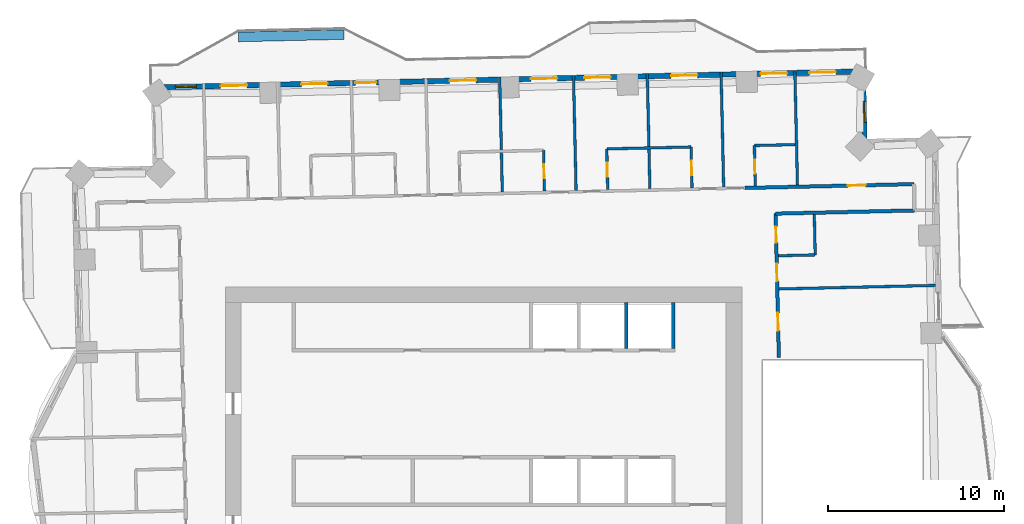
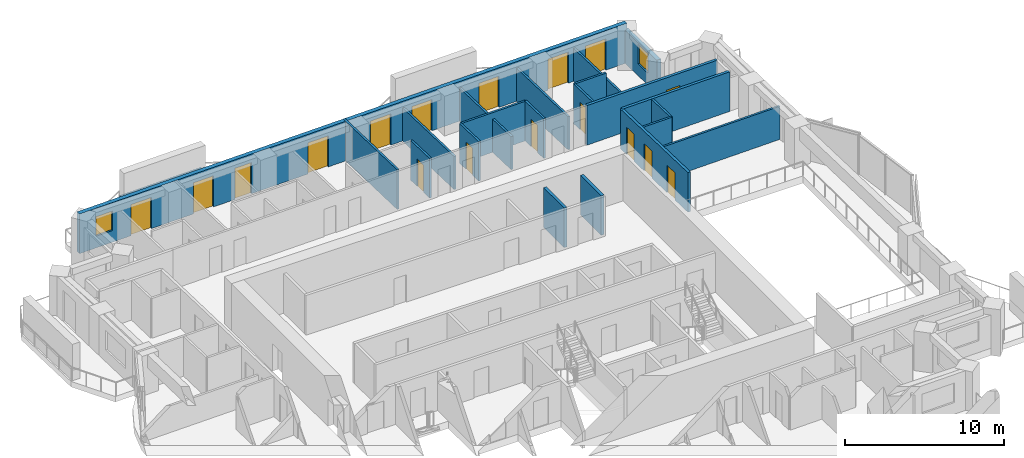
# One storey, part 9 of 14: 22 walls, 17 doors, 2 windows, 19 openings.
"""IFC4 building model written with IfcOpenShell, lengths in metres."""

from ifc_helpers import new_model, si_unit, direction, frame, frame_2d, origin, place, context, subcontext, project, spatial, rectangle, extrude, material, layer, layer_set, type_object, element, fill, save


model = new_model("IFC4")

# Units and contexts
model_context = context("Model", 3, precision=1e-05, world=origin(), true_north=direction((0.0, 1.0)))
body_context = subcontext(model_context, "Body", "Model", "MODEL_VIEW")
ifc_project = project(units=[si_unit("LENGTHUNIT", "METRE"), si_unit("AREAUNIT", "SQUARE_METRE"), si_unit("VOLUMEUNIT", "CUBIC_METRE"), si_unit("PLANEANGLEUNIT", "RADIAN"), si_unit("MASSUNIT", "GRAM", prefix="KILO")], contexts=[model_context])

# Site, building, storey
site_placement = place(None, origin())
site = spatial("IfcSite", under=ifc_project, at=site_placement, CompositionType="ELEMENT")
building_placement = place(site_placement, origin())
building = spatial("IfcBuilding", under=site, at=building_placement, Name="Mangrove Gate Tower", CompositionType="ELEMENT")
storey_placement = place(building_placement, frame((0.0, 0.0, 186.10009765625)))
storey = spatial("IfcBuildingStorey", under=building, at=storey_placement, Name="L47", CompositionType="ELEMENT", Elevation=186.10009765625)

# Walls
ifc_material_1 = material(Name="Concrete C60/75", Category="concrete")
ifc_layer_1 = layer(ifc_material_1, 0.199951171875)
ifc_layer_set_1 = layer_set([ifc_layer_1], Name="Core shaft wall 200 C60/75")
wall_type_1 = type_object("IfcWallType", Name="Core shaft wall 200 C60/75", PredefinedType="SHEAR", material=ifc_layer_set_1)
for number, where, z_axis, x_axis, name in (
    (1, (8.10009765625, 8.199951171875, 0.0), (0.0, 0.0, 1.0), (0.0, 1.0, 0.0), "WALL-L47-CORE-28"),
    (2, (10.800048828125, 8.199951171875, 0.0), (0.0, 0.0, 1.0), (0.0, 1.0, 0.0), "WALL-L47-CORE-29"),
):
    element("IfcWall", number, at=place(storey_placement, frame(where, z_axis=z_axis, x_axis=x_axis)), inside=storey, type_object=wall_type_1, Name=name, PredefinedType="SHEAR", context=body_context, shape_type="SweptSolid", body=[
        extrude(rectangle(XDim=2.60009765625, YDim=0.199951171875, at=frame_2d((1.300048828125, 0.0))), origin(), (0.0, 0.0, 1.0), 3.0498046875),
    ])

# Wall, openings, doors
ifc_material_2 = material(Name="Gypsum board on steel stud, EI 60", Category="steel")
ifc_layer_2 = layer(ifc_material_2, 0.199951171875)
ifc_layer_set_2 = layer_set([ifc_layer_2], Name="Corridor wall EI 60")
wall_type_2 = type_object("IfcWallType", Name="Corridor wall EI 60", PredefinedType="PARTITIONING", material=ifc_layer_set_2)
wall_1_placement = place(storey_placement, frame((16.797119140625, 7.674072265625, 0.0), z_axis=(0.0, 0.0, 1.0), x_axis=(-0.022698399288, 0.999742358145, 0.0)))
wall_1 = element("IfcWall", 3, at=wall_1_placement, inside=storey, type_object=wall_type_2, Name="WALL-L47-045", PredefinedType="PARTITIONING", context=body_context, shape_type="SweptSolid", body=[
    extrude(rectangle(XDim=8.196044921875, YDim=0.199951171875, at=frame_2d((4.09814453125, 0.0))), origin(), (0.0, 0.0, 1.0), 3.0498046875),
])
opening_1_placement = place(wall_1_placement, frame((1.5390625, 0.0, 0.0)))
opening_1 = element("IfcOpeningElement", 4, at=opening_1_placement, cuts=wall_1, Name="Opening AD", PredefinedType="OPENING", context=body_context, shape_type="SweptSolid", body=[
    extrude(rectangle(XDim=1.0, YDim=2.10009765625, at=frame_2d((0.5, 1.050048828125))), frame((0.0, 0.10986328125, 0.0), z_axis=(0.0, -1.0, 0.0), x_axis=(1.0, 0.0, 0.0)), (0.0, 0.0, 1.0), 0.219970703125),
])
opening_2_placement = place(wall_1_placement, frame((4.35009765625, 0.0, 0.0)))
opening_2 = element("IfcOpeningElement", 5, at=opening_2_placement, cuts=wall_1, Name="Opening AD", PredefinedType="OPENING", context=body_context, shape_type="SweptSolid", body=[
    extrude(rectangle(XDim=1.0, YDim=2.10009765625, at=frame_2d((0.5, 1.050048828125))), frame((0.0, 0.10986328125, 0.0), z_axis=(0.0, -1.0, 0.0), x_axis=(1.0, 0.0, 0.0)), (0.0, 0.0, 1.0), 0.219970703125),
])
opening_3_placement = place(wall_1_placement, frame((6.5458984375, 0.0, 0.0)))
opening_3 = element("IfcOpeningElement", 6, at=opening_3_placement, cuts=wall_1, Name="Opening SD", PredefinedType="OPENING", context=body_context, shape_type="SweptSolid", body=[
    extrude(rectangle(XDim=0.89990234375, YDim=2.10009765625, at=frame_2d((0.449951171875, 1.050048828125))), frame((0.0, 0.10986328125, 0.0), z_axis=(0.0, -1.0, 0.0), x_axis=(1.0, 0.0, 0.0)), (0.0, 0.0, 1.0), 0.219970703125),
])
ifc_material_3 = material(Name="Timber door leaf", Category="wood")
door_type_1 = type_object("IfcDoorType", Name="Amenity door 1000", OperationType="SINGLE_SWING_LEFT", PredefinedType="DOOR", material=ifc_material_3)
door_1_placement = place(opening_1_placement, origin())
door_1 = element("IfcDoor", 7, at=door_1_placement, inside=storey, type_object=door_type_1, Name="DOOR-L47-KIT-c3c", OperationType="SINGLE_SWING_RIGHT", OverallHeight=2.10009765625, OverallWidth=1.0, PredefinedType="DOOR", context=body_context, shape_type="SweptSolid", body=[
    extrude(rectangle(XDim=1.0, YDim=2.10009765625, at=frame_2d((0.5, 1.050048828125))), frame((0.0, 0.02490234375, 0.0), z_axis=(0.0, -1.0, 0.0), x_axis=(1.0, 0.0, 0.0)), (0.0, 0.0, 1.0), 0.050048828125),
])
fill(opening_1, door_1)
door_2_placement = place(opening_2_placement, origin())
door_2 = element("IfcDoor", 8, at=door_2_placement, inside=storey, type_object=door_type_1, Name="DOOR-L47-GAM-c3a", OperationType="SINGLE_SWING_LEFT", OverallHeight=2.10009765625, OverallWidth=1.0, PredefinedType="DOOR", context=body_context, shape_type="SweptSolid", body=[
    extrude(rectangle(XDim=1.0, YDim=2.10009765625, at=frame_2d((0.5, 1.050048828125))), frame((0.0, 0.02490234375, 0.0), z_axis=(0.0, -1.0, 0.0), x_axis=(1.0, 0.0, 0.0)), (0.0, 0.0, 1.0), 0.050048828125),
])
fill(opening_2, door_2)
ifc_material_4 = material(Name="Timber door leaf", Category="wood")
door_type_2 = type_object("IfcDoorType", Name="Service room door 900", OperationType="SINGLE_SWING_LEFT", PredefinedType="DOOR", material=ifc_material_4)
door_3_placement = place(opening_3_placement, origin())
door_3 = element("IfcDoor", 9, at=door_3_placement, inside=storey, type_object=door_type_2, Name="DOOR-L47-LIN-c3b", OperationType="SINGLE_SWING_LEFT", OverallHeight=2.10009765625, OverallWidth=0.89990234375, PredefinedType="DOOR", context=body_context, shape_type="SweptSolid", body=[
    extrude(rectangle(XDim=0.89990234375, YDim=2.10009765625, at=frame_2d((0.449951171875, 1.050048828125))), frame((0.0, 0.02490234375, 0.0), z_axis=(0.0, -1.0, 0.0), x_axis=(1.0, 0.0, 0.0)), (0.0, 0.0, 1.0), 0.050048828125),
])
fill(opening_3, door_3)

# Wall
wall_2_placement = place(storey_placement, frame((16.612060546875, 15.864013671875, 0.0), z_axis=(0.0, 0.0, 1.0), x_axis=(0.999741181744, 0.022750154412, 0.0)))
element("IfcWall", 10, at=wall_2_placement, inside=storey, type_object=wall_type_2, Name="WALL-L47-054", PredefinedType="PARTITIONING", context=body_context, shape_type="SweptSolid", body=[
    extrude(rectangle(XDim=7.908935546875, YDim=0.199951171875, at=frame_2d((3.95458984375, 0.0))), origin(), (0.0, 0.0, 1.0), 3.0498046875),
])

# Wall, opening, door
wall_3_placement = place(storey_placement, frame((14.8798828125, 17.324951171875, 0.0), z_axis=(0.0, 0.0, 1.0), x_axis=(0.999742504166, 0.022691966963, 0.0)))
wall_3 = element("IfcWall", 11, at=wall_3_placement, inside=storey, type_object=wall_type_2, Name="WALL-L47-060", PredefinedType="PARTITIONING", context=body_context, shape_type="SweptSolid", body=[
    extrude(rectangle(XDim=9.607666015625, YDim=0.199951171875, at=frame_2d((4.8037109375, 0.0))), origin(), (0.0, 0.0, 1.0), 3.0498046875),
])
opening_4_placement = place(wall_3_placement, frame((5.85009765625, 0.0, 0.0)))
opening_4 = element("IfcOpeningElement", 12, at=opening_4_placement, cuts=wall_3, Name="Opening AD", PredefinedType="OPENING", context=body_context, shape_type="SweptSolid", body=[
    extrude(rectangle(XDim=1.0, YDim=2.10009765625, at=frame_2d((0.5, 1.050048828125))), frame((0.0, 0.10986328125, 0.0), z_axis=(0.0, -1.0, 0.0), x_axis=(1.0, 0.0, 0.0)), (0.0, 0.0, 1.0), 0.219970703125),
])
door_4_placement = place(opening_4_placement, origin())
door_4 = element("IfcDoor", 13, at=door_4_placement, inside=storey, type_object=door_type_1, Name="DOOR-L47-GAM-c3b", OperationType="SINGLE_SWING_RIGHT", OverallHeight=2.10009765625, OverallWidth=1.0, PredefinedType="DOOR", context=body_context, shape_type="SweptSolid", body=[
    extrude(rectangle(XDim=1.0, YDim=2.10009765625, at=frame_2d((0.5, 1.050048828125))), frame((0.0, 0.02490234375, 0.0), z_axis=(0.0, -1.0, 0.0), x_axis=(1.0, 0.0, 0.0)), (0.0, 0.0, 1.0), 0.050048828125),
])
fill(opening_4, door_4)

# Wall, opening, window
ifc_material_5 = material(Name="Limestone", Category="masonry")
ifc_layer_3 = layer(ifc_material_5, 0.0400390625, Name="Limestone cladding")
ifc_material_6 = material(Name="Ventilated air gap")
ifc_layer_4 = layer(ifc_material_6, 0.0400390625, Name="Ventilated cavity")
ifc_material_7 = material(Name="Mineral wool insulation")
ifc_layer_5 = layer(ifc_material_7, 0.06005859375, Name="Insulation")
ifc_material_8 = material(Name="Breather membrane")
ifc_layer_6 = layer(ifc_material_8, 0.001953125, Name="Breather membrane")
ifc_material_9 = material(Name="Concrete C20/25 blockwork", Category="masonry")
ifc_layer_7 = layer(ifc_material_9, 0.14990234375, Name="Blockwork backing wall")
ifc_material_10 = material(Name="Gypsum plaster")
ifc_layer_8 = layer(ifc_material_10, 0.008056640625, Name="Internal plaster")
ifc_layer_set_3 = layer_set([ifc_layer_3, ifc_layer_4, ifc_layer_5, ifc_layer_6, ifc_layer_7, ifc_layer_8], Name="External wall 300 limestone cladding")
wall_type_3 = type_object("IfcWallType", Name="External wall 300 limestone cladding", PredefinedType="SOLIDWALL", material=ifc_layer_set_3)
wall_4_placement = place(storey_placement, frame((21.679931640625, 19.9599609375, 0.0), z_axis=(0.0, 0.0, 1.0), x_axis=(-0.022704768219, 0.999742213523, 0.0)))
wall_4 = element("IfcWall", 14, at=wall_4_placement, inside=storey, type_object=wall_type_3, Name="WALL-L47-E4", PredefinedType="SOLIDWALL", context=body_context, shape_type="SweptSolid", body=[
    extrude(rectangle(XDim=4.0, YDim=0.300048828125, at=frame_2d((2.0, 0.0))), origin(), (0.0, 0.0, 1.0), 2.5498046875),
])
opening_5_placement = place(wall_4_placement, frame((1.093017578125, 0.0, 0.89990234375)))
opening_5 = element("IfcOpeningElement", 15, at=opening_5_placement, cuts=wall_4, Name="Opening W1", PredefinedType="OPENING", context=body_context, shape_type="SweptSolid", body=[
    extrude(rectangle(XDim=1.199951171875, YDim=1.5, at=frame_2d((0.60009765625, 0.75))), frame((0.0, 0.159912109375, 0.0), z_axis=(0.0, -1.0, 0.0), x_axis=(1.0, 0.0, 0.0)), (0.0, 0.0, 1.0), 0.320068359375),
])
ifc_material_11 = material(Name="Aluminium frame with double-glazed low-e glass", Category="aluminium")
window_type = type_object("IfcWindowType", Name="Side lite 1200x1500", PartitioningType="SINGLE_PANEL", PredefinedType="WINDOW", material=ifc_material_11)
window_1_placement = place(opening_5_placement, origin())
window_1 = element("IfcWindow", 16, at=window_1_placement, inside=storey, type_object=window_type, Name="WIN-L47-E4-1", OverallHeight=1.5, OverallWidth=1.199951171875, PartitioningType="SINGLE_PANEL", PredefinedType="WINDOW", context=body_context, shape_type="SweptSolid", body=[
    extrude(rectangle(XDim=1.199951171875, YDim=1.5, at=frame_2d((0.60009765625, 0.75))), frame((0.0, 0.030029296875, 0.0), z_axis=(0.0, -1.0, 0.0), x_axis=(1.0, 0.0, 0.0)), (0.0, 0.0, 1.0), 0.06005859375),
])
fill(opening_5, window_1)

# Wall, openings, doors, window
wall_5_placement = place(storey_placement, frame((21.589111328125, 23.958984375, 0.0), z_axis=(0.0, 0.0, 1.0), x_axis=(-0.999742671382, -0.022684598702, 0.0)))
wall_5 = element("IfcWall", 17, at=wall_5_placement, inside=storey, type_object=wall_type_3, Name="WALL-L47-N5", PredefinedType="SOLIDWALL", context=body_context, shape_type="SweptSolid", body=[
    extrude(rectangle(XDim=40.380615234375, YDim=0.300048828125, at=frame_2d((20.1904296875, 0.0))), origin(), (0.0, 0.0, 1.0), 3.0498046875),
])
opening_6_placement = place(wall_5_placement, frame((1.552978515625, 0.0, 0.0)))
opening_6 = element("IfcOpeningElement", 18, at=opening_6_placement, cuts=wall_5, Name="Opening BD1", PredefinedType="OPENING", context=body_context, shape_type="SweptSolid", body=[
    extrude(rectangle(XDim=1.5, YDim=2.39990234375, at=frame_2d((0.75, 1.199951171875))), frame((0.0, 0.159912109375, 0.0), z_axis=(0.0, -1.0, 0.0), x_axis=(1.0, 0.0, 0.0)), (0.0, 0.0, 1.0), 0.320068359375),
])
opening_7_placement = place(wall_5_placement, frame((4.330078125, 0.0, 0.0)))
opening_7 = element("IfcOpeningElement", 19, at=opening_7_placement, cuts=wall_5, Name="Opening BD1", PredefinedType="OPENING", context=body_context, shape_type="SweptSolid", body=[
    extrude(rectangle(XDim=1.5, YDim=2.39990234375, at=frame_2d((0.75, 1.199951171875))), frame((0.0, 0.159912109375, 0.0), z_axis=(0.0, -1.0, 0.0), x_axis=(1.0, 0.0, 0.0)), (0.0, 0.0, 1.0), 0.320068359375),
])
opening_8_placement = place(wall_5_placement, frame((9.429931640625, 0.0, 0.0)))
opening_8 = element("IfcOpeningElement", 20, at=opening_8_placement, cuts=wall_5, Name="Opening BD1", PredefinedType="OPENING", context=body_context, shape_type="SweptSolid", body=[
    extrude(rectangle(XDim=1.5, YDim=2.39990234375, at=frame_2d((0.75, 1.199951171875))), frame((0.0, 0.159912109375, 0.0), z_axis=(0.0, -1.0, 0.0), x_axis=(1.0, 0.0, 0.0)), (0.0, 0.0, 1.0), 0.320068359375),
])
opening_9_placement = place(wall_5_placement, frame((14.3701171875, 0.0, 0.0)))
opening_9 = element("IfcOpeningElement", 21, at=opening_9_placement, cuts=wall_5, Name="Opening BD1", PredefinedType="OPENING", context=body_context, shape_type="SweptSolid", body=[
    extrude(rectangle(XDim=1.5, YDim=2.39990234375, at=frame_2d((0.75, 1.199951171875))), frame((0.0, 0.159912109375, 0.0), z_axis=(0.0, -1.0, 0.0), x_axis=(1.0, 0.0, 0.0)), (0.0, 0.0, 1.0), 0.320068359375),
])
opening_10_placement = place(wall_5_placement, frame((17.409912109375, 0.0, 0.0)))
opening_10 = element("IfcOpeningElement", 22, at=opening_10_placement, cuts=wall_5, Name="Opening BD1", PredefinedType="OPENING", context=body_context, shape_type="SweptSolid", body=[
    extrude(rectangle(XDim=1.5, YDim=2.39990234375, at=frame_2d((0.75, 1.199951171875))), frame((0.0, 0.159912109375, 0.0), z_axis=(0.0, -1.0, 0.0), x_axis=(1.0, 0.0, 0.0)), (0.0, 0.0, 1.0), 0.320068359375),
])
opening_11_placement = place(wall_5_placement, frame((22.030029296875, 0.0, 0.0)))
opening_11 = element("IfcOpeningElement", 23, at=opening_11_placement, cuts=wall_5, Name="Opening BD1", PredefinedType="OPENING", context=body_context, shape_type="SweptSolid", body=[
    extrude(rectangle(XDim=1.5, YDim=2.39990234375, at=frame_2d((0.75, 1.199951171875))), frame((0.0, 0.159912109375, 0.0), z_axis=(0.0, -1.0, 0.0), x_axis=(1.0, 0.0, 0.0)), (0.0, 0.0, 1.0), 0.320068359375),
])
opening_12_placement = place(wall_5_placement, frame((27.699951171875, 0.0, 0.0)))
opening_12 = element("IfcOpeningElement", 24, at=opening_12_placement, cuts=wall_5, Name="Opening BD2", PredefinedType="OPENING", context=body_context, shape_type="SweptSolid", body=[
    extrude(rectangle(XDim=1.199951171875, YDim=2.39990234375, at=frame_2d((0.60009765625, 1.199951171875))), frame((0.0, 0.159912109375, 0.0), z_axis=(0.0, -1.0, 0.0), x_axis=(1.0, 0.0, 0.0)), (0.0, 0.0, 1.0), 0.320068359375),
])
opening_13_placement = place(wall_5_placement, frame((30.47998046875, 0.0, 0.0)))
opening_13 = element("IfcOpeningElement", 25, at=opening_13_placement, cuts=wall_5, Name="Opening BD1", PredefinedType="OPENING", context=body_context, shape_type="SweptSolid", body=[
    extrude(rectangle(XDim=1.5, YDim=2.39990234375, at=frame_2d((0.75, 1.199951171875))), frame((0.0, 0.159912109375, 0.0), z_axis=(0.0, -1.0, 0.0), x_axis=(1.0, 0.0, 0.0)), (0.0, 0.0, 1.0), 0.320068359375),
])
opening_14_placement = place(wall_5_placement, frame((35.06494140625, 0.0, 0.0)))
opening_14 = element("IfcOpeningElement", 26, at=opening_14_placement, cuts=wall_5, Name="Opening BD1", PredefinedType="OPENING", context=body_context, shape_type="SweptSolid", body=[
    extrude(rectangle(XDim=1.5, YDim=2.39990234375, at=frame_2d((0.75, 1.199951171875))), frame((0.0, 0.159912109375, 0.0), z_axis=(0.0, -1.0, 0.0), x_axis=(1.0, 0.0, 0.0)), (0.0, 0.0, 1.0), 0.320068359375),
])
opening_15_placement = place(wall_5_placement, frame((37.945068359375, 0.0, 0.89990234375)))
opening_15 = element("IfcOpeningElement", 27, at=opening_15_placement, cuts=wall_5, Name="Opening W1", PredefinedType="OPENING", context=body_context, shape_type="SweptSolid", body=[
    extrude(rectangle(XDim=1.199951171875, YDim=1.5, at=frame_2d((0.60009765625, 0.75))), frame((0.0, 0.159912109375, 0.0), z_axis=(0.0, -1.0, 0.0), x_axis=(1.0, 0.0, 0.0)), (0.0, 0.0, 1.0), 0.320068359375),
])
ifc_material_12 = material(Name="Aluminium frame with laminated clear glass", Category="aluminium")
door_type_3 = type_object("IfcDoorType", Name="Balcony sliding door 1200x2400", OperationType="SLIDING_TO_LEFT", PredefinedType="DOOR", material=ifc_material_12)
door_5_placement = place(opening_12_placement, origin())
door_5 = element("IfcDoor", 28, at=door_5_placement, inside=storey, type_object=door_type_3, Name="DOOR-L47-N5-7", OperationType="SLIDING_TO_LEFT", OverallHeight=2.39990234375, OverallWidth=1.199951171875, PredefinedType="DOOR", context=body_context, shape_type="SweptSolid", body=[
    extrude(rectangle(XDim=1.199951171875, YDim=2.39990234375, at=frame_2d((0.60009765625, 1.199951171875))), frame((0.0, 0.02490234375, 0.0), z_axis=(0.0, -1.0, 0.0), x_axis=(1.0, 0.0, 0.0)), (0.0, 0.0, 1.0), 0.050048828125),
])
fill(opening_12, door_5)
ifc_material_13 = material(Name="Aluminium frame with laminated clear glass", Category="aluminium")
door_type_4 = type_object("IfcDoorType", Name="Balcony sliding door 1500x2400", OperationType="SLIDING_TO_LEFT", PredefinedType="DOOR", material=ifc_material_13)
door_6_placement = place(opening_6_placement, origin())
door_6 = element("IfcDoor", 29, at=door_6_placement, inside=storey, type_object=door_type_4, Name="DOOR-L47-N5-1", OperationType="SLIDING_TO_LEFT", OverallHeight=2.39990234375, OverallWidth=1.5, PredefinedType="DOOR", context=body_context, shape_type="SweptSolid", body=[
    extrude(rectangle(XDim=1.5, YDim=2.39990234375, at=frame_2d((0.75, 1.199951171875))), frame((0.0, 0.02490234375, 0.0), z_axis=(0.0, -1.0, 0.0), x_axis=(1.0, 0.0, 0.0)), (0.0, 0.0, 1.0), 0.050048828125),
])
fill(opening_6, door_6)
door_7_placement = place(opening_7_placement, origin())
door_7 = element("IfcDoor", 30, at=door_7_placement, inside=storey, type_object=door_type_4, Name="DOOR-L47-N5-2", OperationType="SLIDING_TO_LEFT", OverallHeight=2.39990234375, OverallWidth=1.5, PredefinedType="DOOR", context=body_context, shape_type="SweptSolid", body=[
    extrude(rectangle(XDim=1.5, YDim=2.39990234375, at=frame_2d((0.75, 1.199951171875))), frame((0.0, 0.02490234375, 0.0), z_axis=(0.0, -1.0, 0.0), x_axis=(1.0, 0.0, 0.0)), (0.0, 0.0, 1.0), 0.050048828125),
])
fill(opening_7, door_7)
door_8_placement = place(opening_8_placement, origin())
door_8 = element("IfcDoor", 31, at=door_8_placement, inside=storey, type_object=door_type_4, Name="DOOR-L47-N5-3", OperationType="SLIDING_TO_LEFT", OverallHeight=2.39990234375, OverallWidth=1.5, PredefinedType="DOOR", context=body_context, shape_type="SweptSolid", body=[
    extrude(rectangle(XDim=1.5, YDim=2.39990234375, at=frame_2d((0.75, 1.199951171875))), frame((0.0, 0.02490234375, 0.0), z_axis=(0.0, -1.0, 0.0), x_axis=(1.0, 0.0, 0.0)), (0.0, 0.0, 1.0), 0.050048828125),
])
fill(opening_8, door_8)
door_9_placement = place(opening_9_placement, origin())
door_9 = element("IfcDoor", 32, at=door_9_placement, inside=storey, type_object=door_type_4, Name="DOOR-L47-N5-4", OperationType="SLIDING_TO_LEFT", OverallHeight=2.39990234375, OverallWidth=1.5, PredefinedType="DOOR", context=body_context, shape_type="SweptSolid", body=[
    extrude(rectangle(XDim=1.5, YDim=2.39990234375, at=frame_2d((0.75, 1.199951171875))), frame((0.0, 0.02490234375, 0.0), z_axis=(0.0, -1.0, 0.0), x_axis=(1.0, 0.0, 0.0)), (0.0, 0.0, 1.0), 0.050048828125),
])
fill(opening_9, door_9)
door_10_placement = place(opening_10_placement, origin())
door_10 = element("IfcDoor", 33, at=door_10_placement, inside=storey, type_object=door_type_4, Name="DOOR-L47-N5-5", OperationType="SLIDING_TO_LEFT", OverallHeight=2.39990234375, OverallWidth=1.5, PredefinedType="DOOR", context=body_context, shape_type="SweptSolid", body=[
    extrude(rectangle(XDim=1.5, YDim=2.39990234375, at=frame_2d((0.75, 1.199951171875))), frame((0.0, 0.02490234375, 0.0), z_axis=(0.0, -1.0, 0.0), x_axis=(1.0, 0.0, 0.0)), (0.0, 0.0, 1.0), 0.050048828125),
])
fill(opening_10, door_10)
door_11_placement = place(opening_11_placement, origin())
door_11 = element("IfcDoor", 34, at=door_11_placement, inside=storey, type_object=door_type_4, Name="DOOR-L47-N5-6", OperationType="SLIDING_TO_LEFT", OverallHeight=2.39990234375, OverallWidth=1.5, PredefinedType="DOOR", context=body_context, shape_type="SweptSolid", body=[
    extrude(rectangle(XDim=1.5, YDim=2.39990234375, at=frame_2d((0.75, 1.199951171875))), frame((0.0, 0.02490234375, 0.0), z_axis=(0.0, -1.0, 0.0), x_axis=(1.0, 0.0, 0.0)), (0.0, 0.0, 1.0), 0.050048828125),
])
fill(opening_11, door_11)
door_12_placement = place(opening_13_placement, origin())
door_12 = element("IfcDoor", 35, at=door_12_placement, inside=storey, type_object=door_type_4, Name="DOOR-L47-N5-8", OperationType="SLIDING_TO_LEFT", OverallHeight=2.39990234375, OverallWidth=1.5, PredefinedType="DOOR", context=body_context, shape_type="SweptSolid", body=[
    extrude(rectangle(XDim=1.5, YDim=2.39990234375, at=frame_2d((0.75, 1.199951171875))), frame((0.0, 0.02490234375, 0.0), z_axis=(0.0, -1.0, 0.0), x_axis=(1.0, 0.0, 0.0)), (0.0, 0.0, 1.0), 0.050048828125),
])
fill(opening_13, door_12)
door_13_placement = place(opening_14_placement, origin())
door_13 = element("IfcDoor", 36, at=door_13_placement, inside=storey, type_object=door_type_4, Name="DOOR-L47-N5-9", OperationType="SLIDING_TO_LEFT", OverallHeight=2.39990234375, OverallWidth=1.5, PredefinedType="DOOR", context=body_context, shape_type="SweptSolid", body=[
    extrude(rectangle(XDim=1.5, YDim=2.39990234375, at=frame_2d((0.75, 1.199951171875))), frame((0.0, 0.02490234375, 0.0), z_axis=(0.0, -1.0, 0.0), x_axis=(1.0, 0.0, 0.0)), (0.0, 0.0, 1.0), 0.050048828125),
])
fill(opening_14, door_13)
window_2_placement = place(opening_15_placement, origin())
window_2 = element("IfcWindow", 37, at=window_2_placement, inside=storey, type_object=window_type, Name="WIN-L47-N5-10", OverallHeight=1.5, OverallWidth=1.199951171875, PartitioningType="SINGLE_PANEL", PredefinedType="WINDOW", context=body_context, shape_type="SweptSolid", body=[
    extrude(rectangle(XDim=1.199951171875, YDim=1.5, at=frame_2d((0.60009765625, 0.75))), frame((0.0, 0.030029296875, 0.0), z_axis=(0.0, -1.0, 0.0), x_axis=(1.0, 0.0, 0.0)), (0.0, 0.0, 1.0), 0.06005859375),
])
fill(opening_15, window_2)

# Walls
ifc_material_14 = material(Name="Gypsum board on steel stud, EI 60", Category="steel")
ifc_layer_9 = layer(ifc_material_14, 0.14990234375)
ifc_layer_set_4 = layer_set([ifc_layer_9], Name="Party wall 150 EI 60")
wall_type_4 = type_object("IfcWallType", Name="Party wall 150 EI 60", PredefinedType="PARTITIONING", material=ifc_layer_set_4)
wall_6_placement = place(storey_placement, frame((16.81005859375, 11.577880859375, 0.0), z_axis=(0.0, 0.0, 1.0), x_axis=(0.999742500104, 0.022692145895, 0.0)))
element("IfcWall", 38, at=wall_6_placement, inside=storey, type_object=wall_type_4, Name="WALL-L47-047", PredefinedType="PARTITIONING", context=body_context, shape_type="SweptSolid", body=[
    extrude(rectangle(XDim=8.908203125, YDim=0.14990234375, at=frame_2d((4.4541015625, 0.0))), origin(), (0.0, 0.0, 1.0), 2.5498046875),
])
wall_7_placement = place(storey_placement, frame((16.76708984375, 13.467041015625, 0.0), z_axis=(0.0, 0.0, 1.0), x_axis=(0.999740212033, 0.022792727877, 0.0)))
element("IfcWall", 39, at=wall_7_placement, inside=storey, type_object=wall_type_4, Name="WALL-L47-049", PredefinedType="PARTITIONING", context=body_context, shape_type="SweptSolid", body=[
    extrude(rectangle(XDim=2.099365234375, YDim=0.14990234375, at=frame_2d((1.0498046875, 0.0))), origin(), (0.0, 0.0, 1.0), 3.0498046875),
])
wall_8_placement = place(storey_placement, frame((18.864990234375, 13.51904296875, 0.0), z_axis=(0.0, 0.0, 1.0), x_axis=(-0.022612884682, 0.999744296031, 0.0)))
element("IfcWall", 40, at=wall_8_placement, inside=storey, type_object=wall_type_4, Name="WALL-L47-051", PredefinedType="PARTITIONING", context=body_context, shape_type="SweptSolid", body=[
    extrude(rectangle(XDim=2.299560546875, YDim=0.14990234375, at=frame_2d((1.14990234375, 0.0))), origin(), (0.0, 0.0, 1.0), 3.0498046875),
])
wall_9_placement = place(storey_placement, frame((1.06005859375, 17.091064453125, 0.0), z_axis=(0.0, 0.0, 1.0), x_axis=(-0.022772202332, 0.999740679777, 0.0)))
element("IfcWall", 41, at=wall_9_placement, inside=storey, type_object=wall_type_4, Name="WALL-L47-069", PredefinedType="PARTITIONING", context=body_context, shape_type="SweptSolid", body=[
    extrude(rectangle(XDim=6.550537109375, YDim=0.14990234375, at=frame_2d((3.275390625, 0.0))), origin(), (0.0, 0.0, 1.0), 3.0498046875),
])

# Wall, opening, door
wall_10_placement = place(storey_placement, frame((3.458984375, 17.14501953125, 0.0), z_axis=(0.0, 0.0, 1.0), x_axis=(-0.022781023197, 0.999740478815, 0.0)))
wall_10 = element("IfcWall", 42, at=wall_10_placement, inside=storey, type_object=wall_type_4, Name="WALL-L47-070", PredefinedType="PARTITIONING", context=body_context, shape_type="SweptSolid", body=[
    extrude(rectangle(XDim=2.325439453125, YDim=0.14990234375, at=frame_2d((1.16259765625, 0.0))), origin(), (0.0, 0.0, 1.0), 3.0498046875),
])
opening_16_placement = place(wall_10_placement, frame((0.72509765625, 0.0, 0.0)))
opening_16 = element("IfcOpeningElement", 43, at=opening_16_placement, cuts=wall_10, Name="Opening ED", PredefinedType="OPENING", context=body_context, shape_type="SweptSolid", body=[
    extrude(rectangle(XDim=0.800048828125, YDim=2.10009765625, at=frame_2d((0.39990234375, 1.050048828125))), frame((0.0, 0.0849609375, 0.0), z_axis=(0.0, -1.0, 0.0), x_axis=(1.0, 0.0, 0.0)), (0.0, 0.0, 1.0), 0.169921875),
])
ifc_material_15 = material(Name="Timber door leaf", Category="wood")
door_type_5 = type_object("IfcDoorType", Name="En-suite door 800", OperationType="SINGLE_SWING_LEFT", PredefinedType="DOOR", material=ifc_material_15)
door_14_placement = place(opening_16_placement, origin())
door_14 = element("IfcDoor", 44, at=door_14_placement, inside=storey, type_object=door_type_5, Name="DOOR-L47-ENS-c411", OperationType="SINGLE_SWING_LEFT", OverallHeight=2.10009765625, OverallWidth=0.800048828125, PredefinedType="DOOR", context=body_context, shape_type="SweptSolid", body=[
    extrude(rectangle(XDim=0.800048828125, YDim=2.10009765625, at=frame_2d((0.39990234375, 1.050048828125))), frame((0.0, 0.02490234375, 0.0), z_axis=(0.0, -1.0, 0.0), x_axis=(1.0, 0.0, 0.0)), (0.0, 0.0, 1.0), 0.050048828125),
])
fill(opening_16, door_14)

# Wall
wall_11_placement = place(storey_placement, frame((5.258056640625, 17.18603515625, 0.0), z_axis=(0.0, 0.0, 1.0), x_axis=(-0.022585104341, 0.999744923999, 0.0)))
element("IfcWall", 45, at=wall_11_placement, inside=storey, type_object=wall_type_4, Name="WALL-L47-071", PredefinedType="PARTITIONING", context=body_context, shape_type="SweptSolid", body=[
    extrude(rectangle(XDim=6.55078125, YDim=0.14990234375, at=frame_2d((3.275390625, 0.0))), origin(), (0.0, 0.0, 1.0), 2.5498046875),
])

# Wall, opening, door
wall_12_placement = place(storey_placement, frame((7.05810546875, 17.22705078125, 0.0), z_axis=(0.0, 0.0, 1.0), x_axis=(-0.022895561926, 0.999737862264, 0.0)))
wall_12 = element("IfcWall", 46, at=wall_12_placement, inside=storey, type_object=wall_type_4, Name="WALL-L47-072", PredefinedType="PARTITIONING", context=body_context, shape_type="SweptSolid", body=[
    extrude(rectangle(XDim=2.324462890625, YDim=0.14990234375, at=frame_2d((1.162109375, 0.0))), origin(), (0.0, 0.0, 1.0), 3.0498046875),
])
opening_17_placement = place(wall_12_placement, frame((0.72509765625, 0.0, 0.0)))
opening_17 = element("IfcOpeningElement", 47, at=opening_17_placement, cuts=wall_12, Name="Opening ED", PredefinedType="OPENING", context=body_context, shape_type="SweptSolid", body=[
    extrude(rectangle(XDim=0.800048828125, YDim=2.10009765625, at=frame_2d((0.39990234375, 1.050048828125))), frame((0.0, 0.0849609375, 0.0), z_axis=(0.0, -1.0, 0.0), x_axis=(1.0, 0.0, 0.0)), (0.0, 0.0, 1.0), 0.169921875),
])
door_15_placement = place(opening_17_placement, origin())
door_15 = element("IfcDoor", 48, at=door_15_placement, inside=storey, type_object=door_type_5, Name="DOOR-L47-ENS-c410", OperationType="SINGLE_SWING_RIGHT", OverallHeight=2.10009765625, OverallWidth=0.800048828125, PredefinedType="DOOR", context=body_context, shape_type="SweptSolid", body=[
    extrude(rectangle(XDim=0.800048828125, YDim=2.10009765625, at=frame_2d((0.39990234375, 1.050048828125))), frame((0.0, 0.02490234375, 0.0), z_axis=(0.0, -1.0, 0.0), x_axis=(1.0, 0.0, 0.0)), (0.0, 0.0, 1.0), 0.050048828125),
])
fill(opening_17, door_15)

# Wall
wall_13_placement = place(storey_placement, frame((9.45703125, 17.281005859375, 0.0), z_axis=(0.0, 0.0, 1.0), x_axis=(-0.022581738791, 0.999745000024, 0.0)))
element("IfcWall", 49, at=wall_13_placement, inside=storey, type_object=wall_type_4, Name="WALL-L47-073", PredefinedType="PARTITIONING", context=body_context, shape_type="SweptSolid", body=[
    extrude(rectangle(XDim=6.5517578125, YDim=0.14990234375, at=frame_2d((3.27587890625, 0.0))), origin(), (0.0, 0.0, 1.0), 2.5498046875),
])

# Wall, opening, door
wall_14_placement = place(storey_placement, frame((11.85693359375, 17.3359375, 0.0), z_axis=(0.0, 0.0, 1.0), x_axis=(-0.02279059109, 0.999740260747, 0.0)))
wall_14 = element("IfcWall", 50, at=wall_14_placement, inside=storey, type_object=wall_type_4, Name="WALL-L47-074", PredefinedType="PARTITIONING", context=body_context, shape_type="SweptSolid", body=[
    extrude(rectangle(XDim=2.324462890625, YDim=0.14990234375, at=frame_2d((1.162109375, 0.0))), origin(), (0.0, 0.0, 1.0), 3.0498046875),
])
opening_18_placement = place(wall_14_placement, frame((0.72509765625, 0.0, 0.0)))
opening_18 = element("IfcOpeningElement", 51, at=opening_18_placement, cuts=wall_14, Name="Opening ED", PredefinedType="OPENING", context=body_context, shape_type="SweptSolid", body=[
    extrude(rectangle(XDim=0.800048828125, YDim=2.10009765625, at=frame_2d((0.39990234375, 1.050048828125))), frame((0.0, 0.0849609375, 0.0), z_axis=(0.0, -1.0, 0.0), x_axis=(1.0, 0.0, 0.0)), (0.0, 0.0, 1.0), 0.169921875),
])
door_16_placement = place(opening_18_placement, origin())
door_16 = element("IfcDoor", 52, at=door_16_placement, inside=storey, type_object=door_type_5, Name="DOOR-L47-ENS-c309", OperationType="SINGLE_SWING_LEFT", OverallHeight=2.10009765625, OverallWidth=0.800048828125, PredefinedType="DOOR", context=body_context, shape_type="SweptSolid", body=[
    extrude(rectangle(XDim=0.800048828125, YDim=2.10009765625, at=frame_2d((0.39990234375, 1.050048828125))), frame((0.0, 0.02490234375, 0.0), z_axis=(0.0, -1.0, 0.0), x_axis=(1.0, 0.0, 0.0)), (0.0, 0.0, 1.0), 0.050048828125),
])
fill(opening_18, door_16)

# Wall
wall_15_placement = place(storey_placement, frame((13.656005859375, 17.376953125, 0.0), z_axis=(0.0, 0.0, 1.0), x_axis=(-0.022585104341, 0.999744923999, 0.0)))
element("IfcWall", 53, at=wall_15_placement, inside=storey, type_object=wall_type_4, Name="WALL-L47-075", PredefinedType="PARTITIONING", context=body_context, shape_type="SweptSolid", body=[
    extrude(rectangle(XDim=6.55078125, YDim=0.14990234375, at=frame_2d((3.275390625, 0.0))), origin(), (0.0, 0.0, 1.0), 2.5498046875),
])

# Wall, opening, door
wall_16_placement = place(storey_placement, frame((15.455078125, 17.44189453125, 0.0), z_axis=(0.0, 0.0, 1.0), x_axis=(-0.022603288534, 0.999744513037, 0.0)))
wall_16 = element("IfcWall", 54, at=wall_16_placement, inside=storey, type_object=wall_type_4, Name="WALL-L47-076", PredefinedType="PARTITIONING", context=body_context, shape_type="SweptSolid", body=[
    extrude(rectangle(XDim=2.300537109375, YDim=0.14990234375, at=frame_2d((1.150390625, 0.0))), origin(), (0.0, 0.0, 1.0), 3.0498046875),
])
opening_19_placement = place(wall_16_placement, frame((0.699951171875, 0.0, 0.0)))
opening_19 = element("IfcOpeningElement", 55, at=opening_19_placement, cuts=wall_16, Name="Opening ED", PredefinedType="OPENING", context=body_context, shape_type="SweptSolid", body=[
    extrude(rectangle(XDim=0.800048828125, YDim=2.10009765625, at=frame_2d((0.39990234375, 1.050048828125))), frame((0.0, 0.0849609375, 0.0), z_axis=(0.0, -1.0, 0.0), x_axis=(1.0, 0.0, 0.0)), (0.0, 0.0, 1.0), 0.169921875),
])
door_17_placement = place(opening_19_placement, origin())
door_17 = element("IfcDoor", 56, at=door_17_placement, inside=storey, type_object=door_type_5, Name="DOOR-L47-ENS-c308", OperationType="SINGLE_SWING_RIGHT", OverallHeight=2.10009765625, OverallWidth=0.800048828125, PredefinedType="DOOR", context=body_context, shape_type="SweptSolid", body=[
    extrude(rectangle(XDim=0.800048828125, YDim=2.10009765625, at=frame_2d((0.39990234375, 1.050048828125))), frame((0.0, 0.02490234375, 0.0), z_axis=(0.0, -1.0, 0.0), x_axis=(1.0, 0.0, 0.0)), (0.0, 0.0, 1.0), 0.050048828125),
])
fill(opening_19, door_17)

# Walls
wall_17_placement = place(storey_placement, frame((17.85498046875, 17.4970703125, 0.0), z_axis=(0.0, 0.0, 1.0), x_axis=(-0.022672114006, 0.999742954587, 0.0)))
element("IfcWall", 57, at=wall_17_placement, inside=storey, type_object=wall_type_4, Name="WALL-L47-077", PredefinedType="PARTITIONING", context=body_context, shape_type="SweptSolid", body=[
    extrude(rectangle(XDim=6.525634765625, YDim=0.14990234375, at=frame_2d((3.2626953125, 0.0))), origin(), (0.0, 0.0, 1.0), 2.5498046875),
])
wall_18_placement = place(storey_placement, frame((7.0048828125, 19.547119140625, 0.0), z_axis=(0.0, 0.0, 1.0), x_axis=(0.999742701292, 0.022683280499, 0.0)))
element("IfcWall", 58, at=wall_18_placement, inside=storey, type_object=wall_type_4, Name="WALL-L47-081", PredefinedType="PARTITIONING", context=body_context, shape_type="SweptSolid", body=[
    extrude(rectangle(XDim=4.80029296875, YDim=0.14990234375, at=frame_2d((2.400146484375, 0.0))), origin(), (0.0, 0.0, 1.0), 3.0498046875),
])
wall_19_placement = place(storey_placement, frame((15.403076171875, 19.738037109375, 0.0), z_axis=(0.0, 0.0, 1.0), x_axis=(0.999740478815, 0.022781023197, 0.0)))
element("IfcWall", 59, at=wall_19_placement, inside=storey, type_object=wall_type_4, Name="WALL-L47-082", PredefinedType="PARTITIONING", context=body_context, shape_type="SweptSolid", body=[
    extrude(rectangle(XDim=2.325439453125, YDim=0.14990234375, at=frame_2d((1.16259765625, 0.0))), origin(), (0.0, 0.0, 1.0), 3.0498046875),
])
ifc_material_16 = material(Name="Concrete C32/40", Category="concrete")
ifc_layer_10 = layer(ifc_material_16, 0.199951171875, Name="Planter trough wall")
ifc_material_17 = material(Name="Bituminous waterproofing membrane")
ifc_layer_11 = layer(ifc_material_17, 0.0048828125, Name="Waterproofing")
ifc_material_18 = material(Name="Drainage board and gravel")
ifc_layer_12 = layer(ifc_material_18, 0.044921875, Name="Drainage layer")
ifc_material_19 = material(Name="Planting soil")
ifc_layer_13 = layer(ifc_material_19, 0.300048828125, Name="Growing medium")
ifc_layer_set_5 = layer_set([ifc_layer_10, ifc_layer_11, ifc_layer_12, ifc_layer_13], Name="Planter wall 550 C32/40")
wall_type_5 = type_object("IfcWallType", Name="Planter wall 550 C32/40", PredefinedType="USERDEFINED", material=ifc_layer_set_5)
wall_20_placement = place(storey_placement, frame((-13.955078125, 25.91796875, 0.0), z_axis=(0.0, 0.0, 1.0), x_axis=(0.999743178102, 0.022662255828, 0.0)))
element("IfcWall", 60, at=wall_20_placement, inside=storey, type_object=wall_type_5, Name="PLANTER L47 N1.1", ObjectType="PLANTER", PredefinedType="USERDEFINED", context=body_context, shape_type="SweptSolid", body=[
    extrude(rectangle(XDim=6.00048828125, YDim=0.550048828125, at=frame_2d((3.000244140625, 0.0))), origin(), (0.0, 0.0, 1.0), 0.7998046875),
])

save(model, "model.ifc")
